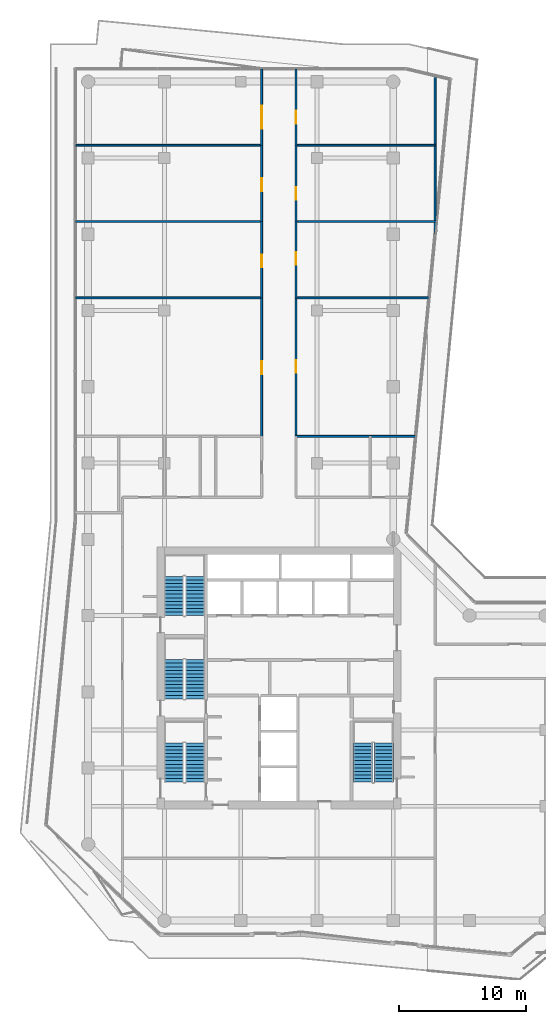
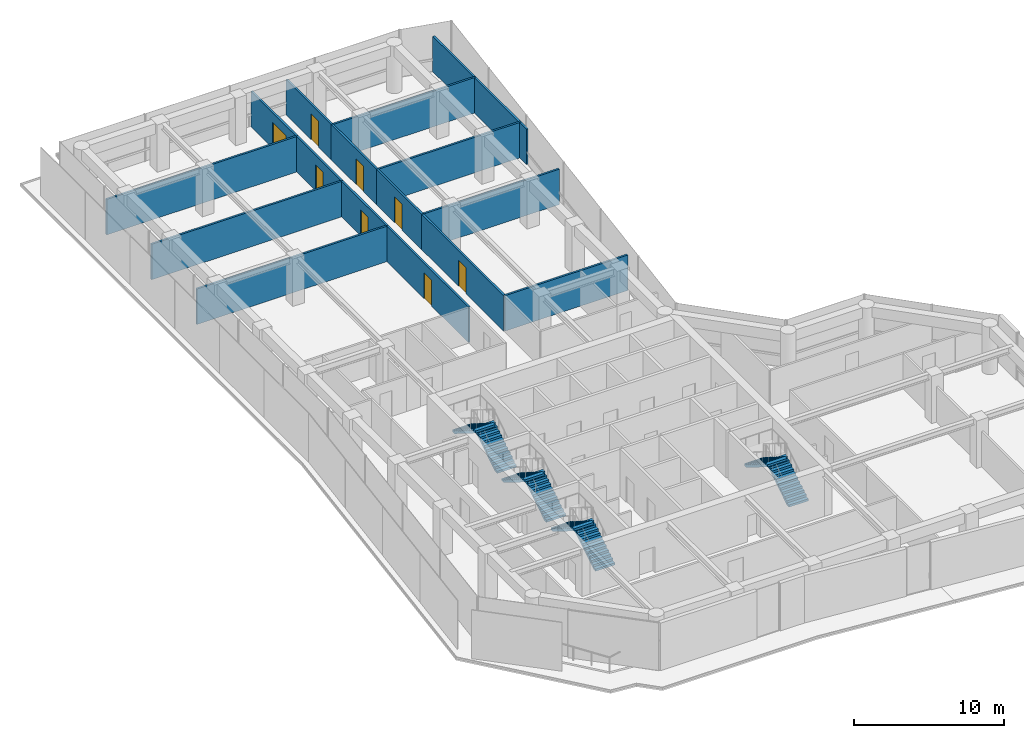
# One storey, part 21 of 23: 16 walls, 8 doors, 8 stair flights, 8 openings, 4 elements without a shape of their own.
"""IFC4 building model written with IfcOpenShell, lengths in metres."""

from ifc_helpers import new_model, si_unit, direction, frame, frame_2d, origin, place, context, subcontext, project, spatial, polyline, rectangle, outline, extrude, material, layer, layer_set, type_object, element, fill, aggregate, save


model = new_model("IFC4")

# Units and contexts
model_context = context("Model", 3, precision=1e-05, world=origin(), true_north=direction((0.0, 1.0)))
body_context = subcontext(model_context, "Body", "Model", "MODEL_VIEW")
ifc_project = project(units=[si_unit("LENGTHUNIT", "METRE"), si_unit("AREAUNIT", "SQUARE_METRE"), si_unit("VOLUMEUNIT", "CUBIC_METRE"), si_unit("PLANEANGLEUNIT", "RADIAN"), si_unit("MASSUNIT", "GRAM", prefix="KILO")], contexts=[model_context])

# Site, building, storey
site_placement = place(None, origin())
site = spatial("IfcSite", under=ifc_project, at=site_placement, CompositionType="ELEMENT")
building_placement = place(site_placement, origin())
building = spatial("IfcBuilding", under=site, at=building_placement, Name="Welwitschia Terrace Campus", CompositionType="ELEMENT")
storey_placement = place(building_placement, frame((0.0, 0.0, 146.60009765625)))
storey = spatial("IfcBuildingStorey", under=building, at=storey_placement, Name="L32", CompositionType="ELEMENT", Elevation=146.60009765625)

# Walls
ifc_material_1 = material(Name="Gypsum board on steel studs", Category="steel")
ifc_layer = layer(ifc_material_1, 0.14990234375)
ifc_layer_set = layer_set([ifc_layer], Name="Gypsum board on steel studs")
wall_type = type_object("IfcWallType", Name="Corridor partition 150 EI 30", PredefinedType="PARTITIONING", material=ifc_layer_set)
for number, where, z_axis, x_axis, name in (
    (1, (-1.010009765625, 45.0, 0.0), (0.0, 0.0, 1.0), (1.0, 0.0, 0.0), "Partition"),
    (2, (-1.010009765625, 51.0, 0.0), (0.0, 0.0, 1.0), (1.0, 0.0, 0.0), "Partition"),
):
    element("IfcWall", number, at=place(storey_placement, frame(where, z_axis=z_axis, x_axis=x_axis)), inside=storey, type_object=wall_type, Name=name, PredefinedType="PARTITIONING", context=body_context, shape_type="SweptSolid", body=[
        extrude(rectangle(XDim=14.659912109375, YDim=0.14990234375, at=frame_2d((7.330078125, 0.0))), origin(), (0.0, 0.0, 1.0), 2.8798828125),
    ])
wall_1_placement = place(storey_placement, frame((-0.992919921875, 57.0, 0.0), z_axis=(0.0, 0.0, 1.0), x_axis=(1.0, 0.0, 0.0)))
element("IfcWall", 3, at=wall_1_placement, inside=storey, type_object=wall_type, Name="Partition", PredefinedType="PARTITIONING", context=body_context, shape_type="SweptSolid", body=[
    extrude(rectangle(XDim=14.642822265625, YDim=0.14990234375, at=frame_2d((7.3212890625, 0.0))), origin(), (0.0, 0.0, 1.0), 2.8798828125),
])

# Wall, opening, door
wall_2_placement = place(storey_placement, frame((13.64990234375, 34.10009765625, 0.0), z_axis=(0.0, 0.0, 1.0), x_axis=(0.0, 1.0, 0.0)))
wall_2 = element("IfcWall", 4, at=wall_2_placement, inside=storey, type_object=wall_type, Name="Partition", PredefinedType="PARTITIONING", context=body_context, shape_type="SweptSolid", body=[
    extrude(rectangle(XDim=10.89990234375, YDim=0.14990234375, at=frame_2d((5.449951171875, 0.0))), origin(), (0.0, 0.0, 1.0), 2.8798828125),
])
opening_1_placement = place(wall_2_placement, frame((4.89990234375, 0.0, 0.0)))
opening_1 = element("IfcOpeningElement", 5, at=opening_1_placement, cuts=wall_2, Name="Opening DI10", PredefinedType="OPENING", context=body_context, shape_type="SweptSolid", body=[
    extrude(rectangle(XDim=1.0, YDim=2.10009765625, at=frame_2d((0.5, 1.050048828125))), frame((0.0, 0.0849609375, 0.0), z_axis=(0.0, -1.0, 0.0), x_axis=(1.0, 0.0, 0.0)), (0.0, 0.0, 1.0), 0.169921875),
])
ifc_material_2 = material(Name="Timber veneered door", Category="wood")
door_type_1 = type_object("IfcDoorType", Name="Interior door DI10", OperationType="NOTDEFINED", PredefinedType="DOOR", material=ifc_material_2)
door_1_placement = place(opening_1_placement, origin())
door_1 = element("IfcDoor", 6, at=door_1_placement, inside=storey, type_object=door_type_1, Name="Door L32 663", OperationType="SINGLE_SWING_RIGHT", OverallHeight=2.10009765625, OverallWidth=1.0, PredefinedType="DOOR", context=body_context, shape_type="SweptSolid", body=[
    extrude(rectangle(XDim=1.0, YDim=2.10009765625, at=frame_2d((0.5, 1.050048828125))), frame((0.0, 0.02490234375, 0.0), z_axis=(0.0, -1.0, 0.0), x_axis=(1.0, 0.0, 0.0)), (0.0, 0.0, 1.0), 0.050048828125),
])
fill(opening_1, door_1)

wall_3_placement = place(storey_placement, frame((13.64990234375, 45.0, 0.0), z_axis=(0.0, 0.0, 1.0), x_axis=(0.0, 1.0, 0.0)))
wall_3 = element("IfcWall", 7, at=wall_3_placement, inside=storey, type_object=wall_type, Name="Partition", PredefinedType="PARTITIONING", context=body_context, shape_type="SweptSolid", body=[
    extrude(rectangle(XDim=6.0, YDim=0.14990234375, at=frame_2d((3.0, 0.0))), origin(), (0.0, 0.0, 1.0), 2.8798828125),
])
opening_2_placement = place(wall_3_placement, frame((2.39990234375, 0.0, 0.0)))
opening_2 = element("IfcOpeningElement", 8, at=opening_2_placement, cuts=wall_3, Name="Opening DI10", PredefinedType="OPENING", context=body_context, shape_type="SweptSolid", body=[
    extrude(rectangle(XDim=1.0, YDim=2.10009765625, at=frame_2d((0.5, 1.050048828125))), frame((0.0, 0.0849609375, 0.0), z_axis=(0.0, -1.0, 0.0), x_axis=(1.0, 0.0, 0.0)), (0.0, 0.0, 1.0), 0.169921875),
])
door_2_placement = place(opening_2_placement, origin())
door_2 = element("IfcDoor", 9, at=door_2_placement, inside=storey, type_object=door_type_1, Name="Door L32 664", OperationType="SINGLE_SWING_LEFT", OverallHeight=2.10009765625, OverallWidth=1.0, PredefinedType="DOOR", context=body_context, shape_type="SweptSolid", body=[
    extrude(rectangle(XDim=1.0, YDim=2.10009765625, at=frame_2d((0.5, 1.050048828125))), frame((0.0, 0.02490234375, 0.0), z_axis=(0.0, -1.0, 0.0), x_axis=(1.0, 0.0, 0.0)), (0.0, 0.0, 1.0), 0.050048828125),
])
fill(opening_2, door_2)

wall_4_placement = place(storey_placement, frame((13.64990234375, 51.0, 0.0), z_axis=(0.0, 0.0, 1.0), x_axis=(0.0, 1.0, 0.0)))
wall_4 = element("IfcWall", 10, at=wall_4_placement, inside=storey, type_object=wall_type, Name="Partition", PredefinedType="PARTITIONING", context=body_context, shape_type="SweptSolid", body=[
    extrude(rectangle(XDim=6.0, YDim=0.14990234375, at=frame_2d((3.0, 0.0))), origin(), (0.0, 0.0, 1.0), 2.8798828125),
])
opening_3_placement = place(wall_4_placement, frame((2.39990234375, 0.0, 0.0)))
opening_3 = element("IfcOpeningElement", 11, at=opening_3_placement, cuts=wall_4, Name="Opening DI10", PredefinedType="OPENING", context=body_context, shape_type="SweptSolid", body=[
    extrude(rectangle(XDim=1.0, YDim=2.10009765625, at=frame_2d((0.5, 1.050048828125))), frame((0.0, 0.0849609375, 0.0), z_axis=(0.0, -1.0, 0.0), x_axis=(1.0, 0.0, 0.0)), (0.0, 0.0, 1.0), 0.169921875),
])
door_3_placement = place(opening_3_placement, origin())
door_3 = element("IfcDoor", 12, at=door_3_placement, inside=storey, type_object=door_type_1, Name="Door L32 665", OperationType="SINGLE_SWING_RIGHT", OverallHeight=2.10009765625, OverallWidth=1.0, PredefinedType="DOOR", context=body_context, shape_type="SweptSolid", body=[
    extrude(rectangle(XDim=1.0, YDim=2.10009765625, at=frame_2d((0.5, 1.050048828125))), frame((0.0, 0.02490234375, 0.0), z_axis=(0.0, -1.0, 0.0), x_axis=(1.0, 0.0, 0.0)), (0.0, 0.0, 1.0), 0.050048828125),
])
fill(opening_3, door_3)

wall_5_placement = place(storey_placement, frame((13.64990234375, 63.010009765625, 0.0), z_axis=(0.0, 0.0, 1.0), x_axis=(0.0, -1.0, 0.0)))
wall_5 = element("IfcWall", 13, at=wall_5_placement, inside=storey, type_object=wall_type, Name="Partition", PredefinedType="PARTITIONING", context=body_context, shape_type="SweptSolid", body=[
    extrude(rectangle(XDim=6.010009765625, YDim=0.14990234375, at=frame_2d((3.0048828125, 0.0))), origin(), (0.0, 0.0, 1.0), 2.8798828125),
])
opening_4_placement = place(wall_5_placement, frame((2.89990234375, 0.0, 0.0)))
opening_4 = element("IfcOpeningElement", 14, at=opening_4_placement, cuts=wall_5, Name="Opening DI18", PredefinedType="OPENING", context=body_context, shape_type="SweptSolid", body=[
    extrude(rectangle(XDim=1.800048828125, YDim=2.10009765625, at=frame_2d((0.89990234375, 1.050048828125))), frame((0.0, 0.0849609375, 0.0), z_axis=(0.0, -1.0, 0.0), x_axis=(1.0, 0.0, 0.0)), (0.0, 0.0, 1.0), 0.169921875),
])
ifc_material_3 = material(Name="Timber veneered door", Category="wood")
door_type_2 = type_object("IfcDoorType", Name="Interior door DI18", OperationType="DOUBLE_DOOR_SINGLE_SWING", PredefinedType="DOOR", material=ifc_material_3)
door_4_placement = place(opening_4_placement, origin())
door_4 = element("IfcDoor", 15, at=door_4_placement, inside=storey, type_object=door_type_2, Name="Door L32 666", OperationType="SINGLE_SWING_LEFT", OverallHeight=2.10009765625, OverallWidth=1.800048828125, PredefinedType="DOOR", context=body_context, shape_type="SweptSolid", body=[
    extrude(rectangle(XDim=1.800048828125, YDim=2.10009765625, at=frame_2d((0.89990234375, 1.050048828125))), frame((0.0, 0.02490234375, 0.0), z_axis=(0.0, -1.0, 0.0), x_axis=(1.0, 0.0, 0.0)), (0.0, 0.0, 1.0), 0.050048828125),
])
fill(opening_4, door_4)

# Wall
wall_6_placement = place(storey_placement, frame((16.35009765625, 34.10009765625, 0.0), z_axis=(0.0, 0.0, 1.0), x_axis=(1.0, 0.0, 0.0)))
element("IfcWall", 16, at=wall_6_placement, inside=storey, type_object=wall_type, Name="Partition", PredefinedType="PARTITIONING", context=body_context, shape_type="SweptSolid", body=[
    extrude(rectangle(XDim=9.429931640625, YDim=0.14990234375, at=frame_2d((4.71484375, 0.0))), origin(), (0.0, 0.0, 1.0), 2.8798828125),
])

# Wall, opening, door
wall_7_placement = place(storey_placement, frame((16.35009765625, 45.0, 0.0), z_axis=(0.0, 0.0, 1.0), x_axis=(0.0, -1.0, 0.0)))
wall_7 = element("IfcWall", 17, at=wall_7_placement, inside=storey, type_object=wall_type, Name="Partition", PredefinedType="PARTITIONING", context=body_context, shape_type="SweptSolid", body=[
    extrude(rectangle(XDim=10.89990234375, YDim=0.14990234375, at=frame_2d((5.449951171875, 0.0))), origin(), (0.0, 0.0, 1.0), 2.8798828125),
])
opening_5_placement = place(wall_7_placement, frame((4.89990234375, 0.0, 0.0)))
opening_5 = element("IfcOpeningElement", 18, at=opening_5_placement, cuts=wall_7, Name="Opening DI10", PredefinedType="OPENING", context=body_context, shape_type="SweptSolid", body=[
    extrude(rectangle(XDim=1.0, YDim=2.10009765625, at=frame_2d((0.5, 1.050048828125))), frame((0.0, 0.0849609375, 0.0), z_axis=(0.0, -1.0, 0.0), x_axis=(1.0, 0.0, 0.0)), (0.0, 0.0, 1.0), 0.169921875),
])
door_5_placement = place(opening_5_placement, origin())
door_5 = element("IfcDoor", 19, at=door_5_placement, inside=storey, type_object=door_type_1, Name="Door L32 667", OperationType="SINGLE_SWING_RIGHT", OverallHeight=2.10009765625, OverallWidth=1.0, PredefinedType="DOOR", context=body_context, shape_type="SweptSolid", body=[
    extrude(rectangle(XDim=1.0, YDim=2.10009765625, at=frame_2d((0.5, 1.050048828125))), frame((0.0, 0.02490234375, 0.0), z_axis=(0.0, -1.0, 0.0), x_axis=(1.0, 0.0, 0.0)), (0.0, 0.0, 1.0), 0.050048828125),
])
fill(opening_5, door_5)

# Wall
wall_8_placement = place(storey_placement, frame((16.35009765625, 45.0, 0.0), z_axis=(0.0, 0.0, 1.0), x_axis=(1.0, 0.0, 0.0)))
element("IfcWall", 20, at=wall_8_placement, inside=storey, type_object=wall_type, Name="Partition", PredefinedType="PARTITIONING", context=body_context, shape_type="SweptSolid", body=[
    extrude(rectangle(XDim=10.47998046875, YDim=0.14990234375, at=frame_2d((5.239990234375, 0.0))), origin(), (0.0, 0.0, 1.0), 2.8798828125),
])

# Wall, opening, door
wall_9_placement = place(storey_placement, frame((16.35009765625, 51.0, 0.0), z_axis=(0.0, 0.0, 1.0), x_axis=(0.0, -1.0, 0.0)))
wall_9 = element("IfcWall", 21, at=wall_9_placement, inside=storey, type_object=wall_type, Name="Partition", PredefinedType="PARTITIONING", context=body_context, shape_type="SweptSolid", body=[
    extrude(rectangle(XDim=6.0, YDim=0.14990234375, at=frame_2d((3.0, 0.0))), origin(), (0.0, 0.0, 1.0), 2.8798828125),
])
opening_6_placement = place(wall_9_placement, frame((2.39990234375, 0.0, 0.0)))
opening_6 = element("IfcOpeningElement", 22, at=opening_6_placement, cuts=wall_9, Name="Opening DI10", PredefinedType="OPENING", context=body_context, shape_type="SweptSolid", body=[
    extrude(rectangle(XDim=1.0, YDim=2.10009765625, at=frame_2d((0.5, 1.050048828125))), frame((0.0, 0.0849609375, 0.0), z_axis=(0.0, -1.0, 0.0), x_axis=(1.0, 0.0, 0.0)), (0.0, 0.0, 1.0), 0.169921875),
])
door_6_placement = place(opening_6_placement, origin())
door_6 = element("IfcDoor", 23, at=door_6_placement, inside=storey, type_object=door_type_1, Name="Door L32 668", OperationType="SINGLE_SWING_LEFT", OverallHeight=2.10009765625, OverallWidth=1.0, PredefinedType="DOOR", context=body_context, shape_type="SweptSolid", body=[
    extrude(rectangle(XDim=1.0, YDim=2.10009765625, at=frame_2d((0.5, 1.050048828125))), frame((0.0, 0.02490234375, 0.0), z_axis=(0.0, -1.0, 0.0), x_axis=(1.0, 0.0, 0.0)), (0.0, 0.0, 1.0), 0.050048828125),
])
fill(opening_6, door_6)

# Wall
wall_10_placement = place(storey_placement, frame((16.35009765625, 51.0, 0.0), z_axis=(0.0, 0.0, 1.0), x_axis=(1.0, 0.0, 0.0)))
element("IfcWall", 24, at=wall_10_placement, inside=storey, type_object=wall_type, Name="Partition", PredefinedType="PARTITIONING", context=body_context, shape_type="SweptSolid", body=[
    extrude(rectangle(XDim=11.043212890625, YDim=0.14990234375, at=frame_2d((5.521484375, 0.0))), origin(), (0.0, 0.0, 1.0), 2.8798828125),
])

# Wall, opening, door
wall_11_placement = place(storey_placement, frame((16.35009765625, 57.0, 0.0), z_axis=(0.0, 0.0, 1.0), x_axis=(0.0, -1.0, 0.0)))
wall_11 = element("IfcWall", 25, at=wall_11_placement, inside=storey, type_object=wall_type, Name="Partition", PredefinedType="PARTITIONING", context=body_context, shape_type="SweptSolid", body=[
    extrude(rectangle(XDim=6.0, YDim=0.14990234375, at=frame_2d((3.0, 0.0))), origin(), (0.0, 0.0, 1.0), 2.8798828125),
])
opening_7_placement = place(wall_11_placement, frame((3.300048828125, 0.0, 0.0)))
opening_7 = element("IfcOpeningElement", 26, at=opening_7_placement, cuts=wall_11, Name="Opening DI10", PredefinedType="OPENING", context=body_context, shape_type="SweptSolid", body=[
    extrude(rectangle(XDim=1.0, YDim=2.10009765625, at=frame_2d((0.5, 1.050048828125))), frame((0.0, 0.0849609375, 0.0), z_axis=(0.0, -1.0, 0.0), x_axis=(1.0, 0.0, 0.0)), (0.0, 0.0, 1.0), 0.169921875),
])
door_7_placement = place(opening_7_placement, origin())
door_7 = element("IfcDoor", 27, at=door_7_placement, inside=storey, type_object=door_type_1, Name="Door L32 669", OperationType="SINGLE_SWING_RIGHT", OverallHeight=2.10009765625, OverallWidth=1.0, PredefinedType="DOOR", context=body_context, shape_type="SweptSolid", body=[
    extrude(rectangle(XDim=1.0, YDim=2.10009765625, at=frame_2d((0.5, 1.050048828125))), frame((0.0, 0.02490234375, 0.0), z_axis=(0.0, -1.0, 0.0), x_axis=(1.0, 0.0, 0.0)), (0.0, 0.0, 1.0), 0.050048828125),
])
fill(opening_7, door_7)

# Wall
wall_12_placement = place(storey_placement, frame((16.35009765625, 57.0, 0.0), z_axis=(0.0, 0.0, 1.0), x_axis=(1.0, 0.0, 0.0)))
element("IfcWall", 28, at=wall_12_placement, inside=storey, type_object=wall_type, Name="Partition", PredefinedType="PARTITIONING", context=body_context, shape_type="SweptSolid", body=[
    extrude(rectangle(XDim=10.949951171875, YDim=0.14990234375, at=frame_2d((5.47509765625, 0.0))), origin(), (0.0, 0.0, 1.0), 2.8798828125),
])

# Wall, opening, door
wall_13_placement = place(storey_placement, frame((16.35009765625, 63.010009765625, 0.0), z_axis=(0.0, 0.0, 1.0), x_axis=(0.0, -1.0, 0.0)))
wall_13 = element("IfcWall", 29, at=wall_13_placement, inside=storey, type_object=wall_type, Name="Partition", PredefinedType="PARTITIONING", context=body_context, shape_type="SweptSolid", body=[
    extrude(rectangle(XDim=6.010009765625, YDim=0.14990234375, at=frame_2d((3.0048828125, 0.0))), origin(), (0.0, 0.0, 1.0), 2.8798828125),
])
opening_8_placement = place(wall_13_placement, frame((3.31005859375, 0.0, 0.0)))
opening_8 = element("IfcOpeningElement", 30, at=opening_8_placement, cuts=wall_13, Name="Opening DI10", PredefinedType="OPENING", context=body_context, shape_type="SweptSolid", body=[
    extrude(rectangle(XDim=1.0, YDim=2.10009765625, at=frame_2d((0.5, 1.050048828125))), frame((0.0, 0.0849609375, 0.0), z_axis=(0.0, -1.0, 0.0), x_axis=(1.0, 0.0, 0.0)), (0.0, 0.0, 1.0), 0.169921875),
])
door_8_placement = place(opening_8_placement, origin())
door_8 = element("IfcDoor", 31, at=door_8_placement, inside=storey, type_object=door_type_1, Name="Door L32 670", OperationType="SINGLE_SWING_LEFT", OverallHeight=2.10009765625, OverallWidth=1.0, PredefinedType="DOOR", context=body_context, shape_type="SweptSolid", body=[
    extrude(rectangle(XDim=1.0, YDim=2.10009765625, at=frame_2d((0.5, 1.050048828125))), frame((0.0, 0.02490234375, 0.0), z_axis=(0.0, -1.0, 0.0), x_axis=(1.0, 0.0, 0.0)), (0.0, 0.0, 1.0), 0.050048828125),
])
fill(opening_8, door_8)

# Wall
wall_14_placement = place(storey_placement, frame((27.300048828125, 50.030517578125, 0.0), z_axis=(0.0, 0.0, 1.0), x_axis=(0.0, 1.0, 0.0)))
element("IfcWall", 32, at=wall_14_placement, inside=storey, type_object=wall_type, Name="Partition", PredefinedType="PARTITIONING", context=body_context, shape_type="SweptSolid", body=[
    extrude(rectangle(XDim=12.439453125, YDim=0.14990234375, at=frame_2d((6.2197265625, 0.0))), origin(), (0.0, 0.0, 1.0), 2.8798828125),
])

# Stair, stair flights
ifc_material_4 = material(Name="Concrete C40/50", Category="concrete")
stair_type = type_object("IfcStairType", Name="Stair 24R 175 W1500", PredefinedType="HALF_TURN_STAIR", material=ifc_material_4)
stair_1_placement = place(storey_placement, origin())
stair_1 = element("IfcStair", 33, at=stair_1_placement, inside=storey, type_object=stair_type, Name="L32 Exit stair S1", PredefinedType="HALF_TURN_STAIR")
ifc_material_5 = material(Name="Concrete C40/50", Category="concrete")
stair_flight_type = type_object("IfcStairFlightType", Name="Stair flight 24R 175 W1500", PredefinedType="STRAIGHT", material=ifc_material_5)
stair_flight_1_placement = place(storey_placement, frame((8.39990234375, 6.89990234375, 0.0), z_axis=(0.0, 0.0, 1.0), x_axis=(0.0, 1.0, 0.0)))
stair_flight_1 = element("IfcStairFlight", 34, at=stair_flight_1_placement, type_object=stair_flight_type, Name="S1 flight 1", NumberOfRisers=12, NumberOfTreads=11, PredefinedType="STRAIGHT", RiserHeight=0.175, TreadLength=0.28, context=body_context, shape_type="SweptSolid", body=[
    extrude(outline(polyline([(0.0, 0.0), (0.0, 0.175048828125), (0.280029296875, 0.175048828125), (0.280029296875, 0.35009765625), (0.56005859375, 0.35009765625), (0.56005859375, 0.52490234375), (0.840087890625, 0.52490234375), (0.840087890625, 0.699951171875), (1.1201171875, 0.699951171875), (1.1201171875, 0.875), (1.39990234375, 0.875), (1.39990234375, 1.050048828125), (1.679931640625, 1.050048828125), (1.679931640625, 1.22509765625), (1.9599609375, 1.22509765625), (1.9599609375, 1.39990234375), (2.239990234375, 1.39990234375), (2.239990234375, 1.574951171875), (2.52001953125, 1.574951171875), (2.52001953125, 1.75), (2.800048828125, 1.75), (2.800048828125, 1.925048828125), (3.080078125, 1.925048828125), (3.080078125, 2.10009765625), (3.080078125, 1.748291015625), (0.28271484375, 0.0), (0.0, 0.0)])), frame((0.0, 0.75, 0.0), z_axis=(0.0, -1.0, 0.0), x_axis=(1.0, 0.0, 0.0)), (0.0, 0.0, 1.0), 1.5),
])
stair_flight_2_placement = place(storey_placement, frame((6.75, 9.97998046875, 2.099853515625), z_axis=(0.0, 0.0, 1.0), x_axis=(0.0, -1.0, 0.0)))
stair_flight_2 = element("IfcStairFlight", 35, at=stair_flight_2_placement, type_object=stair_flight_type, Name="S1 flight 2", NumberOfRisers=12, NumberOfTreads=11, PredefinedType="STRAIGHT", RiserHeight=0.175, TreadLength=0.28, context=body_context, shape_type="SweptSolid", body=[
    extrude(outline(polyline([(0.0, 0.0), (0.0, 0.175048828125), (0.280029296875, 0.175048828125), (0.280029296875, 0.35009765625), (0.56005859375, 0.35009765625), (0.56005859375, 0.52490234375), (0.840087890625, 0.52490234375), (0.840087890625, 0.699951171875), (1.1201171875, 0.699951171875), (1.1201171875, 0.875), (1.39990234375, 0.875), (1.39990234375, 1.050048828125), (1.679931640625, 1.050048828125), (1.679931640625, 1.22509765625), (1.9599609375, 1.22509765625), (1.9599609375, 1.39990234375), (2.239990234375, 1.39990234375), (2.239990234375, 1.574951171875), (2.52001953125, 1.574951171875), (2.52001953125, 1.75), (2.800048828125, 1.75), (2.800048828125, 1.925048828125), (3.080078125, 1.925048828125), (3.080078125, 2.10009765625), (3.080078125, 1.748291015625), (0.28271484375, 0.0), (0.0, 0.0)])), frame((0.0, 0.75, 0.0), z_axis=(0.0, -1.0, 0.0), x_axis=(1.0, 0.0, 0.0)), (0.0, 0.0, 1.0), 1.5),
])
aggregate(stair_1, [stair_flight_1, stair_flight_2])

stair_2_placement = place(storey_placement, origin())
stair_2 = element("IfcStair", 36, at=stair_2_placement, inside=storey, type_object=stair_type, Name="L32 Exit stair S3", PredefinedType="HALF_TURN_STAIR")
stair_flight_3_placement = place(storey_placement, frame((8.39990234375, 13.449951171875, 0.0), z_axis=(0.0, 0.0, 1.0), x_axis=(0.0, 1.0, 0.0)))
stair_flight_3 = element("IfcStairFlight", 37, at=stair_flight_3_placement, type_object=stair_flight_type, Name="S3 flight 1", NumberOfRisers=12, NumberOfTreads=11, PredefinedType="STRAIGHT", RiserHeight=0.175, TreadLength=0.28, context=body_context, shape_type="SweptSolid", body=[
    extrude(outline(polyline([(0.0, 0.0), (0.0, 0.175048828125), (0.280029296875, 0.175048828125), (0.280029296875, 0.35009765625), (0.56005859375, 0.35009765625), (0.56005859375, 0.52490234375), (0.840087890625, 0.52490234375), (0.840087890625, 0.699951171875), (1.1201171875, 0.699951171875), (1.1201171875, 0.875), (1.39990234375, 0.875), (1.39990234375, 1.050048828125), (1.679931640625, 1.050048828125), (1.679931640625, 1.22509765625), (1.9599609375, 1.22509765625), (1.9599609375, 1.39990234375), (2.239990234375, 1.39990234375), (2.239990234375, 1.574951171875), (2.52001953125, 1.574951171875), (2.52001953125, 1.75), (2.800048828125, 1.75), (2.800048828125, 1.925048828125), (3.080078125, 1.925048828125), (3.080078125, 2.10009765625), (3.080078125, 1.748291015625), (0.28271484375, 0.0), (0.0, 0.0)])), frame((0.0, 0.75, 0.0), z_axis=(0.0, -1.0, 0.0), x_axis=(1.0, 0.0, 0.0)), (0.0, 0.0, 1.0), 1.5),
])
stair_flight_4_placement = place(storey_placement, frame((6.75, 16.530029296875, 2.099853515625), z_axis=(0.0, 0.0, 1.0), x_axis=(0.0, -1.0, 0.0)))
stair_flight_4 = element("IfcStairFlight", 38, at=stair_flight_4_placement, type_object=stair_flight_type, Name="S3 flight 2", NumberOfRisers=12, NumberOfTreads=11, PredefinedType="STRAIGHT", RiserHeight=0.175, TreadLength=0.28, context=body_context, shape_type="SweptSolid", body=[
    extrude(outline(polyline([(0.0, 0.0), (0.0, 0.175048828125), (0.280029296875, 0.175048828125), (0.280029296875, 0.35009765625), (0.56005859375, 0.35009765625), (0.56005859375, 0.52490234375), (0.840087890625, 0.52490234375), (0.840087890625, 0.699951171875), (1.1201171875, 0.699951171875), (1.1201171875, 0.875), (1.39990234375, 0.875), (1.39990234375, 1.050048828125), (1.679931640625, 1.050048828125), (1.679931640625, 1.22509765625), (1.9599609375, 1.22509765625), (1.9599609375, 1.39990234375), (2.239990234375, 1.39990234375), (2.239990234375, 1.574951171875), (2.52001953125, 1.574951171875), (2.52001953125, 1.75), (2.800048828125, 1.75), (2.800048828125, 1.925048828125), (3.080078125, 1.925048828125), (3.080078125, 2.10009765625), (3.080078125, 1.748291015625), (0.28271484375, 0.0), (0.0, 0.0)])), frame((0.0, 0.75, 0.0), z_axis=(0.0, -1.0, 0.0), x_axis=(1.0, 0.0, 0.0)), (0.0, 0.0, 1.0), 1.5),
])
aggregate(stair_2, [stair_flight_3, stair_flight_4])

stair_3_placement = place(storey_placement, origin())
stair_3 = element("IfcStair", 39, at=stair_3_placement, inside=storey, type_object=stair_type, Name="L32 Exit stair S4", PredefinedType="HALF_TURN_STAIR")
stair_flight_5_placement = place(storey_placement, frame((8.39990234375, 20.0, 0.0), z_axis=(0.0, 0.0, 1.0), x_axis=(0.0, 1.0, 0.0)))
stair_flight_5 = element("IfcStairFlight", 40, at=stair_flight_5_placement, type_object=stair_flight_type, Name="S4 flight 1", NumberOfRisers=12, NumberOfTreads=11, PredefinedType="STRAIGHT", RiserHeight=0.175, TreadLength=0.28, context=body_context, shape_type="SweptSolid", body=[
    extrude(outline(polyline([(0.0, 0.0), (0.0, 0.175048828125), (0.280029296875, 0.175048828125), (0.280029296875, 0.35009765625), (0.56005859375, 0.35009765625), (0.56005859375, 0.52490234375), (0.840087890625, 0.52490234375), (0.840087890625, 0.699951171875), (1.1201171875, 0.699951171875), (1.1201171875, 0.875), (1.39990234375, 0.875), (1.39990234375, 1.050048828125), (1.679931640625, 1.050048828125), (1.679931640625, 1.22509765625), (1.9599609375, 1.22509765625), (1.9599609375, 1.39990234375), (2.239990234375, 1.39990234375), (2.239990234375, 1.574951171875), (2.52001953125, 1.574951171875), (2.52001953125, 1.75), (2.800048828125, 1.75), (2.800048828125, 1.925048828125), (3.080078125, 1.925048828125), (3.080078125, 2.10009765625), (3.080078125, 1.748291015625), (0.28271484375, 0.0), (0.0, 0.0)])), frame((0.0, 0.75, 0.0), z_axis=(0.0, -1.0, 0.0), x_axis=(1.0, 0.0, 0.0)), (0.0, 0.0, 1.0), 1.5),
])
stair_flight_6_placement = place(storey_placement, frame((6.75, 23.080078125, 2.099853515625), z_axis=(0.0, 0.0, 1.0), x_axis=(0.0, -1.0, 0.0)))
stair_flight_6 = element("IfcStairFlight", 41, at=stair_flight_6_placement, type_object=stair_flight_type, Name="S4 flight 2", NumberOfRisers=12, NumberOfTreads=11, PredefinedType="STRAIGHT", RiserHeight=0.175, TreadLength=0.28, context=body_context, shape_type="SweptSolid", body=[
    extrude(outline(polyline([(0.0, 0.0), (0.0, 0.175048828125), (0.280029296875, 0.175048828125), (0.280029296875, 0.35009765625), (0.56005859375, 0.35009765625), (0.56005859375, 0.52490234375), (0.840087890625, 0.52490234375), (0.840087890625, 0.699951171875), (1.1201171875, 0.699951171875), (1.1201171875, 0.875), (1.39990234375, 0.875), (1.39990234375, 1.050048828125), (1.679931640625, 1.050048828125), (1.679931640625, 1.22509765625), (1.9599609375, 1.22509765625), (1.9599609375, 1.39990234375), (2.239990234375, 1.39990234375), (2.239990234375, 1.574951171875), (2.52001953125, 1.574951171875), (2.52001953125, 1.75), (2.800048828125, 1.75), (2.800048828125, 1.925048828125), (3.080078125, 1.925048828125), (3.080078125, 2.10009765625), (3.080078125, 1.748291015625), (0.28271484375, 0.0), (0.0, 0.0)])), frame((0.0, 0.75, 0.0), z_axis=(0.0, -1.0, 0.0), x_axis=(1.0, 0.0, 0.0)), (0.0, 0.0, 1.0), 1.5),
])
aggregate(stair_3, [stair_flight_5, stair_flight_6])

stair_4_placement = place(storey_placement, origin())
stair_4 = element("IfcStair", 42, at=stair_4_placement, inside=storey, type_object=stair_type, Name="L32 Exit stair S2", PredefinedType="HALF_TURN_STAIR")
stair_flight_7_placement = place(storey_placement, frame((23.25, 6.89990234375, 0.0), z_axis=(0.0, 0.0, 1.0), x_axis=(0.0, 1.0, 0.0)))
stair_flight_7 = element("IfcStairFlight", 43, at=stair_flight_7_placement, type_object=stair_flight_type, Name="S2 flight 1", NumberOfRisers=12, NumberOfTreads=11, PredefinedType="STRAIGHT", RiserHeight=0.175, TreadLength=0.28, context=body_context, shape_type="SweptSolid", body=[
    extrude(outline(polyline([(0.0, 0.0), (0.0, 0.175048828125), (0.280029296875, 0.175048828125), (0.280029296875, 0.35009765625), (0.56005859375, 0.35009765625), (0.56005859375, 0.52490234375), (0.840087890625, 0.52490234375), (0.840087890625, 0.699951171875), (1.1201171875, 0.699951171875), (1.1201171875, 0.875), (1.39990234375, 0.875), (1.39990234375, 1.050048828125), (1.679931640625, 1.050048828125), (1.679931640625, 1.22509765625), (1.9599609375, 1.22509765625), (1.9599609375, 1.39990234375), (2.239990234375, 1.39990234375), (2.239990234375, 1.574951171875), (2.52001953125, 1.574951171875), (2.52001953125, 1.75), (2.800048828125, 1.75), (2.800048828125, 1.925048828125), (3.080078125, 1.925048828125), (3.080078125, 2.10009765625), (3.080078125, 1.748291015625), (0.28271484375, 0.0), (0.0, 0.0)])), frame((0.0, 0.75, 0.0), z_axis=(0.0, -1.0, 0.0), x_axis=(1.0, 0.0, 0.0)), (0.0, 0.0, 1.0), 1.5),
])
stair_flight_8_placement = place(storey_placement, frame((21.60009765625, 9.97998046875, 2.099853515625), z_axis=(0.0, 0.0, 1.0), x_axis=(0.0, -1.0, 0.0)))
stair_flight_8 = element("IfcStairFlight", 44, at=stair_flight_8_placement, type_object=stair_flight_type, Name="S2 flight 2", NumberOfRisers=12, NumberOfTreads=11, PredefinedType="STRAIGHT", RiserHeight=0.175, TreadLength=0.28, context=body_context, shape_type="SweptSolid", body=[
    extrude(outline(polyline([(0.0, 0.0), (0.0, 0.175048828125), (0.280029296875, 0.175048828125), (0.280029296875, 0.35009765625), (0.56005859375, 0.35009765625), (0.56005859375, 0.52490234375), (0.840087890625, 0.52490234375), (0.840087890625, 0.699951171875), (1.1201171875, 0.699951171875), (1.1201171875, 0.875), (1.39990234375, 0.875), (1.39990234375, 1.050048828125), (1.679931640625, 1.050048828125), (1.679931640625, 1.22509765625), (1.9599609375, 1.22509765625), (1.9599609375, 1.39990234375), (2.239990234375, 1.39990234375), (2.239990234375, 1.574951171875), (2.52001953125, 1.574951171875), (2.52001953125, 1.75), (2.800048828125, 1.75), (2.800048828125, 1.925048828125), (3.080078125, 1.925048828125), (3.080078125, 2.10009765625), (3.080078125, 1.748291015625), (0.28271484375, 0.0), (0.0, 0.0)])), frame((0.0, 0.75, 0.0), z_axis=(0.0, -1.0, 0.0), x_axis=(1.0, 0.0, 0.0)), (0.0, 0.0, 1.0), 1.5),
])
aggregate(stair_4, [stair_flight_7, stair_flight_8])

save(model, "model.ifc")
